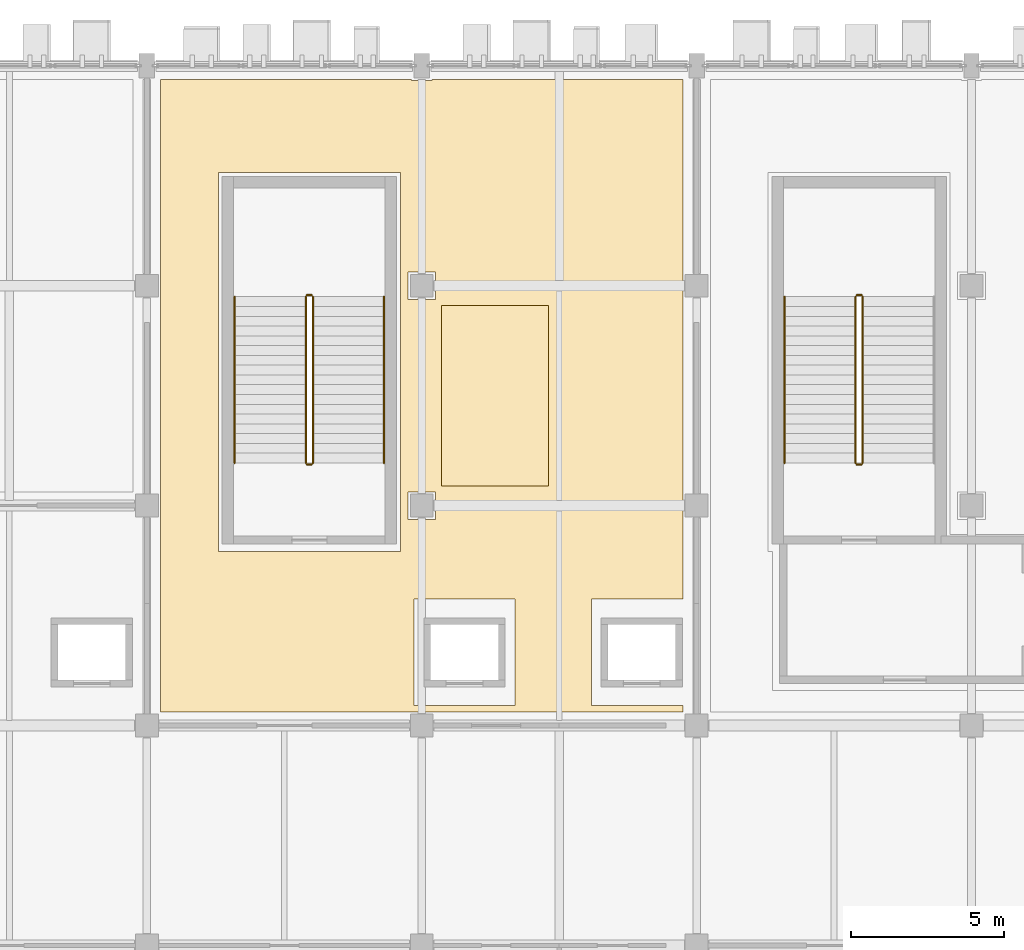
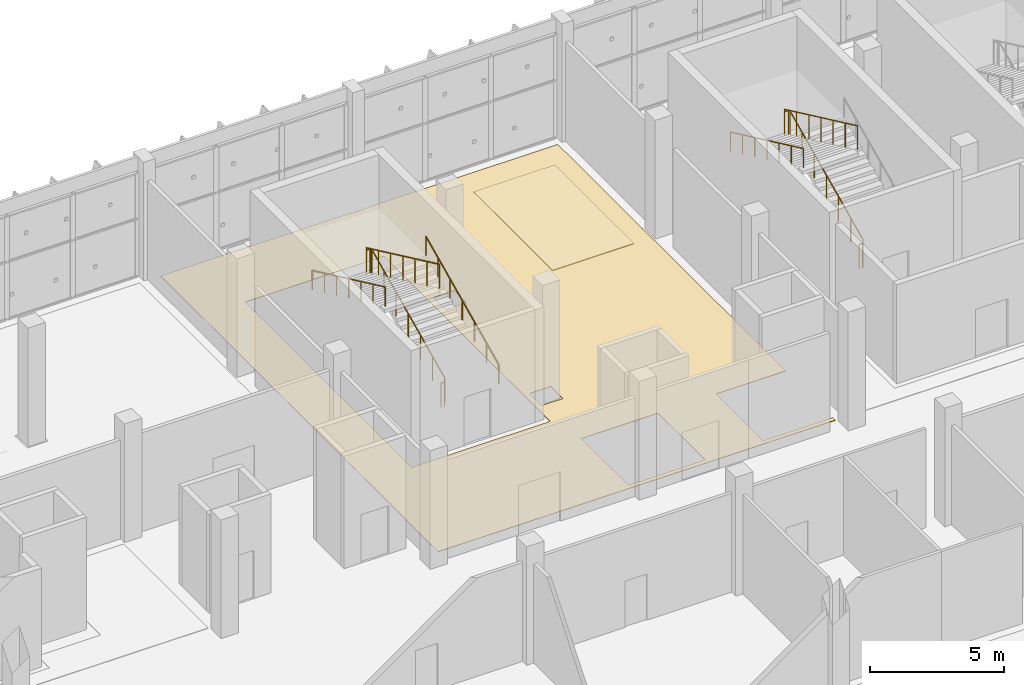
# One storey, part 180 of 189: 11 railings, 2 coverings.
"""IFC4 building model written with IfcOpenShell, lengths in metres."""

import ifcopenshell
import ifcopenshell.guid

model = None  # the IFC model being written
_history = None  # IfcOwnerHistory: only IFC2X3 demands one
_inside = {}  # id of a spatial element -> (the spatial element, [elements in it])
_under = {}  # id of a project, library or spatial element -> (it, [spatial elements below it])
_declared = {}  # id of a project -> (the project, [libraries it declares])
_typed = {}  # id of a type object -> (the type object, [elements of that type])
_made_of = {}  # id of a material, layer set ... -> (it, [elements and type objects made of it])


def new_model(schema):
    """Start an empty IFC model of exactly this schema.

    Asked for "IFC4X3", IfcOpenShell would pick the latest addendum, in which some entities
    have other attributes; the version numbers below select the first issue.
    IFC2X3 requires an IfcOwnerHistory on every rooted entity: one is made here for all.
    """
    global model, _history
    if schema == "IFC4X3":
        model = ifcopenshell.file(schema_version=(4, 3, 0, 0))
    else:
        model = ifcopenshell.file(schema=schema)
    _inside.clear()
    _under.clear()
    _declared.clear()
    _typed.clear()
    _made_of.clear()
    _history = None
    if model.schema == "IFC2X3":
        org = make("IfcOrganization", Name="unknown")
        user = make(
            "IfcPersonAndOrganization",
            ThePerson=make("IfcPerson", FamilyName="unknown"),
            TheOrganization=org,
        )
        app = make(
            "IfcApplication",
            ApplicationDeveloper=org,
            Version="unknown",
            ApplicationFullName="unknown",
            ApplicationIdentifier="unknown",
        )
        _history = make(
            "IfcOwnerHistory",
            OwningUser=user,
            OwningApplication=app,
            ChangeAction="ADDED",
            CreationDate=0,
        )
    return model


def make(cls, **values):
    """One entity of the class cls with the attributes given. An attribute that is None is left unset."""
    return model.create_entity(
        cls, **{name: value for name, value in values.items() if value is not None}
    )


def rooted(cls, **values):
    """An entity with a GlobalId (a new one), such as an element, a storey or a relation."""
    return make(cls, GlobalId=ifcopenshell.guid.new(), OwnerHistory=_history, **values)


def si_unit(unit_type, name, prefix=None):
    """IfcSIUnit, for example si_unit("LENGTHUNIT", "METRE", prefix="MILLI")."""
    return make("IfcSIUnit", UnitType=unit_type, Prefix=prefix, Name=name)


def assignment(units):
    """IfcUnitAssignment: the units of a project."""
    return None if units is None else make("IfcUnitAssignment", Units=units)


def point(xyz):
    """IfcCartesianPoint."""
    return None if xyz is None else make("IfcCartesianPoint", Coordinates=xyz)


def direction(xyz):
    """IfcDirection."""
    return None if xyz is None else make("IfcDirection", DirectionRatios=xyz)


def frame(location, z_axis=None, x_axis=None):
    """IfcAxis2Placement3D, a coordinate frame: its origin and axes. An axis left out is left unset."""
    return make(
        "IfcAxis2Placement3D",
        Location=point(location),
        Axis=direction(z_axis),
        RefDirection=direction(x_axis),
    )


def frame_2d(location, x_axis=None):
    """IfcAxis2Placement2D, a coordinate frame in the plane: its origin and x axis."""
    return make(
        "IfcAxis2Placement2D", Location=point(location), RefDirection=direction(x_axis)
    )


def origin():
    """The frame at (0, 0, 0) with its axes left unset."""
    return frame((0.0, 0.0, 0.0))


def origin_2d():
    """The frame at (0, 0) in the plane with its x axis left unset."""
    return frame_2d((0.0, 0.0))


def place(relative_to, where):
    """IfcLocalPlacement: puts the frame where relative to a parent placement (None: the world)."""
    return make(
        "IfcLocalPlacement", PlacementRelTo=relative_to, RelativePlacement=where
    )


def context(
    kind, dimensions, precision=None, world=None, true_north=None, identifier=None
):
    """IfcGeometricRepresentationContext, for example the 3D "Model" context."""
    return make(
        "IfcGeometricRepresentationContext",
        ContextIdentifier=identifier,
        ContextType=kind,
        CoordinateSpaceDimension=dimensions,
        Precision=precision,
        WorldCoordinateSystem=world,
        TrueNorth=true_north,
    )


def subcontext(parent, identifier, kind, view, scale=None):
    """IfcGeometricRepresentationSubContext, for example "Body" below "Model"."""
    return make(
        "IfcGeometricRepresentationSubContext",
        ContextIdentifier=identifier,
        ContextType=kind,
        ParentContext=parent,
        TargetScale=scale,
        TargetView=view,
    )


def project(units=None, contexts=None):
    """IfcProject with its units and contexts."""
    return rooted(
        "IfcProject",
        Name="project",
        RepresentationContexts=contexts,
        UnitsInContext=assignment(units),
    )


def spatial(cls, under=None, at=None, **own):
    """A site, building, storey or space (cls), placed at a placement, below another one or the project."""
    s = rooted(cls, ObjectPlacement=at, **own)
    if under is not None:
        _under.setdefault(under.id(), (under, []))[1].append(s)
    return s


def polyline(points):
    """IfcPolyline through the points."""
    return make("IfcPolyline", Points=[point(p) for p in points])


def profile(cls, at=None, kind="AREA", **sizes):
    """A parametric profile (cls). Its sizes go by their IFC names, for example OverallWidth=200.0."""
    return make(cls, ProfileType=kind, Position=at, **sizes)


def circle(**sizes):
    """IfcCircleProfileDef."""
    return profile("IfcCircleProfileDef", **sizes)


def outline(outer, holes=None, kind="AREA"):
    """IfcArbitraryClosedProfileDef: a profile drawn as a closed curve; with holes, ...WithVoids."""
    if holes is None:
        return make("IfcArbitraryClosedProfileDef", ProfileType=kind, OuterCurve=outer)
    return make(
        "IfcArbitraryProfileDefWithVoids",
        ProfileType=kind,
        OuterCurve=outer,
        InnerCurves=holes,
    )


def extrude(swept, where, along, depth):
    """IfcExtrudedAreaSolid: the profile swept, set in the frame where, extruded along a direction by depth."""
    return make(
        "IfcExtrudedAreaSolid",
        SweptArea=swept,
        Position=where,
        ExtrudedDirection=direction(along),
        Depth=depth,
    )


def shape(context_of_items, identifier, shape_type, items):
    """IfcShapeRepresentation: the items that make up one representation, for example the "Body"."""
    return make(
        "IfcShapeRepresentation",
        ContextOfItems=context_of_items,
        RepresentationIdentifier=identifier,
        RepresentationType=shape_type,
        Items=items,
    )


def material(Name=None, Category=None):
    """IfcMaterial."""
    return make("IfcMaterial", Name=Name, Category=Category)


def layer(
    of_material, thickness, ventilated=None, Name=None, Category=None, Priority=None
):
    """IfcMaterialLayer: one layer of a wall or slab, of a material (None: an air gap)."""
    return make(
        "IfcMaterialLayer",
        Material=of_material,
        LayerThickness=thickness,
        IsVentilated=ventilated,
        Name=Name,
        Category=Category,
        Priority=Priority,
    )


def layer_set(layers, Name=None):
    """IfcMaterialLayerSet."""
    return make("IfcMaterialLayerSet", MaterialLayers=layers, LayerSetName=Name)


def made_of(thing, what):
    """Note that an element or type object is made of a material, layer set ...; save() writes the relation."""
    if what is not None:
        _made_of.setdefault(what.id(), (what, []))[1].append(thing)
    return thing


def type_object(cls, material=None, **own):
    """A type object (cls), such as IfcWallType, which elements share."""
    return made_of(rooted(cls, **own), material)


def element(
    cls,
    number,
    at=None,
    inside=None,
    cuts=None,
    type_object=None,
    material=None,
    context=None,
    identifier="Body",
    shape_type=None,
    held_by="IfcProductDefinitionShape",
    body=None,
    shapes=None,
    **own,
):
    """One element of the class cls, such as IfcWall. Its Tag is "e" and its number.

    at: its placement. inside: the storey or other place that contains it. cuts: it is an
    opening in that element (IfcRelVoidsElement). A single representation is given by context,
    identifier, shape_type and body (its items); several are given by shapes. held_by: the class
    of the entity that holds the representations. save() writes the other relations.
    """
    e = rooted(cls, Tag="e%d" % number, ObjectPlacement=at, **own)
    if body is not None:
        shapes = [shape(context, identifier, shape_type, body)]
    if shapes is not None:
        e.Representation = make(held_by, Representations=shapes)
    if inside is not None:
        _inside.setdefault(inside.id(), (inside, []))[1].append(e)
    if cuts is not None:
        rooted(
            "IfcRelVoidsElement", RelatingBuildingElement=cuts, RelatedOpeningElement=e
        )
    if type_object is not None:
        _typed.setdefault(type_object.id(), (type_object, []))[1].append(e)
    return made_of(e, material)


def aggregate(whole, parts):
    """IfcRelAggregates: a whole, such as a stair, and the parts it consists of."""
    return rooted("IfcRelAggregates", RelatingObject=whole, RelatedObjects=parts)


def save(model, path):
    """Write the relations noted so far, then the file.

    IfcRelAggregates (storeys below a building ...), IfcRelContainedInSpatialStructure (elements
    in a storey), IfcRelDefinesByType, IfcRelAssociatesMaterial and IfcRelDeclares: one each for
    every whole, place, type object, material and project.
    """
    for whole, parts in _under.values():
        aggregate(whole, parts)
    for where, things in _inside.values():
        rooted(
            "IfcRelContainedInSpatialStructure",
            RelatedElements=things,
            RelatingStructure=where,
        )
    for kind, things in _typed.values():
        rooted("IfcRelDefinesByType", RelatedObjects=things, RelatingType=kind)
    for what, things in _made_of.values():
        rooted("IfcRelAssociatesMaterial", RelatedObjects=things, RelatingMaterial=what)
    for by, libraries in _declared.values():
        rooted("IfcRelDeclares", RelatingContext=by, RelatedDefinitions=libraries)
    model.write(path)


model = new_model("IFC4")

# Units and contexts
model_context = context("Model", 3, precision=1e-05, world=origin(), true_north=direction((0.0, 1.0)))
body_context = subcontext(model_context, "Body", "Model", "MODEL_VIEW")
ifc_project = project(units=[si_unit("LENGTHUNIT", "METRE"), si_unit("AREAUNIT", "SQUARE_METRE"), si_unit("VOLUMEUNIT", "CUBIC_METRE"), si_unit("PLANEANGLEUNIT", "RADIAN"), si_unit("MASSUNIT", "GRAM", prefix="KILO")], contexts=[model_context])

# Site, building, storey
site_placement = place(None, origin())
site = spatial("IfcSite", under=ifc_project, at=site_placement, CompositionType="ELEMENT")
building_placement = place(site_placement, origin())
building = spatial("IfcBuilding", under=site, at=building_placement, Name="Celestram Park Convention Centre", CompositionType="ELEMENT")
storey_placement = place(building_placement, frame((0.0, 0.0, 5.39990234375)))
storey = spatial("IfcBuildingStorey", under=building, at=storey_placement, Name="L01", CompositionType="ELEMENT", Elevation=5.39990234375)

# Coverings
ifc_material_1 = material(Name="Perforated Acoustic Mineral-Fibre Baffle Ceiling", Category="gypsum")
ifc_layer_1 = layer(ifc_material_1, 0.0400390625)
ifc_layer_set_1 = layer_set([ifc_layer_1], Name="Perforated Acoustic Mineral-Fibre Baffle Ceiling")
covering_type_1 = type_object("IfcCoveringType", Name="ARC-COV-CLG040", PredefinedType="CEILING", material=ifc_layer_set_1)
covering_1_placement = place(storey_placement, frame((0.0, 0.0, 5.080078125)))
element("IfcCovering", 1, at=covering_1_placement, inside=storey, type_object=covering_type_1, Name="Breakout Seminar Room 103 acoustic baffle ceiling", PredefinedType="CEILING", context=body_context, shape_type="SweptSolid", body=[
    extrude(outline(polyline([(72.64990234375, 151.85009765625), (76.14990234375, 151.85009765625), (76.14990234375, 157.75), (72.64990234375, 157.75), (72.64990234375, 151.85009765625)])), origin(), (0.0, 0.0, 1.0), 0.0400390625),
])
ifc_material_2 = material(Name="Polished Lakefront Aggregate Terrazzo Flooring", Category="concrete")
ifc_layer_2 = layer(ifc_material_2, 0.02001953125)
ifc_layer_set_2 = layer_set([ifc_layer_2], Name="Polished Lakefront Aggregate Terrazzo Flooring")
covering_type_2 = type_object("IfcCoveringType", Name="ARC-COV-FLR020", PredefinedType="FLOORING", material=ifc_layer_set_2)
covering_2_placement = place(storey_placement, origin())
element("IfcCovering", 2, at=covering_2_placement, inside=storey, type_object=covering_type_2, Name="Breakout Seminar Room 103 terrazzo flooring", PredefinedType="FLOORING", context=body_context, shape_type="SweptSolid", body=[
    extrude(outline(polyline([(63.449951171875, 150.7470703125), (63.452880859375, 150.7470703125), (63.452880859375, 151.653076171875), (63.449951171875, 151.653076171875), (63.449951171875, 157.947021484375), (63.452880859375, 157.947021484375), (63.452880859375, 158.85302734375), (63.449951171875, 158.85302734375), (63.449951171875, 165.14990234375), (71.672119140625, 165.14990234375), (71.672119140625, 165.1220703125), (72.327880859375, 165.1220703125), (72.327880859375, 165.14990234375), (80.550048828125, 165.14990234375), (80.550048828125, 158.85302734375), (80.547119140625, 158.85302734375), (80.547119140625, 157.947021484375), (80.550048828125, 157.947021484375), (80.550048828125, 151.653076171875), (80.547119140625, 151.653076171875), (80.547119140625, 150.7470703125), (80.550048828125, 150.7470703125), (80.550048828125, 148.14990234375), (77.550048828125, 148.14990234375), (77.550048828125, 144.64990234375), (80.550048828125, 144.64990234375), (80.550048828125, 144.452880859375), (80.547119140625, 144.452880859375), (80.547119140625, 144.449951171875), (72.452880859375, 144.449951171875), (72.452880859375, 144.452880859375), (71.547119140625, 144.452880859375), (71.547119140625, 144.449951171875), (63.452880859375, 144.449951171875), (63.452880859375, 144.452880859375), (63.449951171875, 144.452880859375), (63.449951171875, 150.7470703125)]), holes=[polyline([(75.050048828125, 144.64990234375), (75.050048828125, 148.14990234375), (71.75, 148.14990234375), (71.75, 144.64990234375), (75.050048828125, 144.64990234375)]), polyline([(71.300048828125, 149.699951171875), (71.300048828125, 162.10009765625), (65.340087890625, 162.10009765625), (65.340087890625, 149.699951171875), (71.300048828125, 149.699951171875)]), polyline([(72.452880859375, 151.653076171875), (71.547119140625, 151.653076171875), (71.547119140625, 150.7470703125), (72.452880859375, 150.7470703125), (72.452880859375, 151.653076171875)]), polyline([(72.452880859375, 157.947021484375), (72.452880859375, 158.85302734375), (71.547119140625, 158.85302734375), (71.547119140625, 157.947021484375), (72.452880859375, 157.947021484375)])]), origin(), (0.0, 0.0, 1.0), 0.02001953125),
])

# Railings
ifc_material_3 = material(Name="Stainless Steel AISI 316L & Laminated Glass", Category="steel")
ifc_layer_3 = layer(ifc_material_3, 0.06005859375)
ifc_layer_set_3 = layer_set([ifc_layer_3], Name="Stainless Steel AISI 316L & Laminated Glass")
railing_type_1 = type_object("IfcRailingType", Name="ARC-RL-GRD1120", PredefinedType="GUARDRAIL", material=ifc_layer_set_3)
railing_1_placement = place(storey_placement, frame((86.43603515625, 152.60009765625, 0.150146484375)))
element("IfcRailing", 3, at=railing_1_placement, inside=storey, type_object=railing_type_1, Name="L01 ST-02 stair guard 1", PredefinedType="GUARDRAIL", context=body_context, shape_type="SweptSolid", body=[
    extrude(circle(Radius=0.02392578125, at=origin_2d()), frame((0.0, 0.0, 1.09619140625), z_axis=(0.0, 0.90545405566, 0.424444287379), x_axis=(-1.0, 0.0, 0.0)), (0.0, 0.0, 1.0), 6.008056640625),
    extrude(circle(Radius=0.02099609375, at=origin_2d()), origin(), (0.0, 0.0, 1.0), 1.072021484375),
    extrude(circle(Radius=0.02099609375, at=origin_2d()), frame((0.0, 0.90673828125, 0.425048828125)), (0.0, 0.0, 1.0), 1.072021484375),
    extrude(circle(Radius=0.02099609375, at=origin_2d()), frame((0.0, 1.813232421875, 0.85009765625)), (0.0, 0.0, 1.0), 1.072021484375),
    extrude(circle(Radius=0.02099609375, at=origin_2d()), frame((0.0, 2.719970703125, 1.27490234375)), (0.0, 0.0, 1.0), 1.072021484375),
    extrude(circle(Radius=0.02099609375, at=origin_2d()), frame((0.0, 3.626708984375, 1.699951171875)), (0.0, 0.0, 1.0), 1.072021484375),
    extrude(circle(Radius=0.02099609375, at=origin_2d()), frame((0.0, 4.533203125, 2.125)), (0.0, 0.0, 1.0), 1.072021484375),
    extrude(circle(Radius=0.02099609375, at=origin_2d()), frame((0.0, 5.43994140625, 2.550048828125)), (0.0, 0.0, 1.0), 1.072021484375),
])
railing_2_placement = place(storey_placement, frame((86.39990234375, 158.090087890625, 2.7001953125)))
element("IfcRailing", 4, at=railing_2_placement, inside=storey, type_object=railing_type_1, Name="L01 ST-02 stair guard 2", PredefinedType="GUARDRAIL", context=body_context, shape_type="SweptSolid", body=[
    extrude(circle(Radius=0.02392578125, at=origin_2d()), frame((0.0, 0.0, 1.09619140625), z_axis=(-1.0, 0.0, 0.0), x_axis=(0.0, -1.0, 0.0)), (0.0, 0.0, 1.0), 0.159912109375),
    extrude(circle(Radius=0.02099609375, at=origin_2d()), origin(), (0.0, 0.0, 1.0), 1.072021484375),
    extrude(circle(Radius=0.02099609375, at=origin_2d()), frame((-0.159912109375, 0.0, 0.0)), (0.0, 0.0, 1.0), 1.072021484375),
])
railing_3_placement = place(storey_placement, frame((86.2041015625, 158.0400390625, 2.85009765625)))
element("IfcRailing", 5, at=railing_3_placement, inside=storey, type_object=railing_type_1, Name="L01 ST-02 stair guard 3", PredefinedType="GUARDRAIL", context=body_context, shape_type="SweptSolid", body=[
    extrude(circle(Radius=0.02392578125, at=origin_2d()), frame((0.0, 0.0, 1.09619140625), z_axis=(0.0, -0.90545405566, 0.424444287379), x_axis=(1.0, 0.0, 0.0)), (0.0, 0.0, 1.0), 6.008056640625),
    extrude(circle(Radius=0.02099609375, at=origin_2d()), origin(), (0.0, 0.0, 1.0), 1.072021484375),
    extrude(circle(Radius=0.02099609375, at=origin_2d()), frame((0.0, -0.90673828125, 0.425048828125)), (0.0, 0.0, 1.0), 1.072021484375),
    extrude(circle(Radius=0.02099609375, at=origin_2d()), frame((0.0, -1.813232421875, 0.85009765625)), (0.0, 0.0, 1.0), 1.072021484375),
    extrude(circle(Radius=0.02099609375, at=origin_2d()), frame((0.0, -2.719970703125, 1.27490234375)), (0.0, 0.0, 1.0), 1.072021484375),
    extrude(circle(Radius=0.02099609375, at=origin_2d()), frame((0.0, -3.626708984375, 1.699951171875)), (0.0, 0.0, 1.0), 1.072021484375),
    extrude(circle(Radius=0.02099609375, at=origin_2d()), frame((0.0, -4.533203125, 2.125)), (0.0, 0.0, 1.0), 1.072021484375),
    extrude(circle(Radius=0.02099609375, at=origin_2d()), frame((0.0, -5.43994140625, 2.550048828125)), (0.0, 0.0, 1.0), 1.072021484375),
])
railing_4_placement = place(storey_placement, frame((86.39990234375, 152.550048828125, 0.0)))
element("IfcRailing", 6, at=railing_4_placement, inside=storey, type_object=railing_type_1, Name="L01 ST-02 stair guard 4", PredefinedType="GUARDRAIL", context=body_context, shape_type="SweptSolid", body=[
    extrude(circle(Radius=0.02392578125, at=origin_2d()), frame((0.0, 0.0, 1.09619140625), z_axis=(-1.0, 0.0, 0.0), x_axis=(0.0, -1.0, 0.0)), (0.0, 0.0, 1.0), 0.159912109375),
    extrude(circle(Radius=0.02099609375, at=origin_2d()), origin(), (0.0, 0.0, 1.0), 1.072021484375),
    extrude(circle(Radius=0.02099609375, at=origin_2d()), frame((-0.159912109375, 0.0, 0.0)), (0.0, 0.0, 1.0), 1.072021484375),
])
railing_5_placement = place(storey_placement, frame((68.43603515625, 152.60009765625, 0.150146484375)))
element("IfcRailing", 7, at=railing_5_placement, inside=storey, type_object=railing_type_1, Name="L01 ST-14 stair guard 1", PredefinedType="GUARDRAIL", context=body_context, shape_type="SweptSolid", body=[
    extrude(circle(Radius=0.02392578125, at=origin_2d()), frame((0.0, 0.0, 1.09619140625), z_axis=(0.0, 0.90545405566, 0.424444287379), x_axis=(-1.0, 0.0, 0.0)), (0.0, 0.0, 1.0), 6.008056640625),
    extrude(circle(Radius=0.02099609375, at=origin_2d()), origin(), (0.0, 0.0, 1.0), 1.072021484375),
    extrude(circle(Radius=0.02099609375, at=origin_2d()), frame((0.0, 0.90673828125, 0.425048828125)), (0.0, 0.0, 1.0), 1.072021484375),
    extrude(circle(Radius=0.02099609375, at=origin_2d()), frame((0.0, 1.813232421875, 0.85009765625)), (0.0, 0.0, 1.0), 1.072021484375),
    extrude(circle(Radius=0.02099609375, at=origin_2d()), frame((0.0, 2.719970703125, 1.27490234375)), (0.0, 0.0, 1.0), 1.072021484375),
    extrude(circle(Radius=0.02099609375, at=origin_2d()), frame((0.0, 3.626708984375, 1.699951171875)), (0.0, 0.0, 1.0), 1.072021484375),
    extrude(circle(Radius=0.02099609375, at=origin_2d()), frame((0.0, 4.533203125, 2.125)), (0.0, 0.0, 1.0), 1.072021484375),
    extrude(circle(Radius=0.02099609375, at=origin_2d()), frame((0.0, 5.43994140625, 2.550048828125)), (0.0, 0.0, 1.0), 1.072021484375),
])
railing_6_placement = place(storey_placement, frame((68.39990234375, 158.090087890625, 2.7001953125)))
element("IfcRailing", 8, at=railing_6_placement, inside=storey, type_object=railing_type_1, Name="L01 ST-14 stair guard 2", PredefinedType="GUARDRAIL", context=body_context, shape_type="SweptSolid", body=[
    extrude(circle(Radius=0.02392578125, at=origin_2d()), frame((0.0, 0.0, 1.09619140625), z_axis=(-1.0, 0.0, 0.0), x_axis=(0.0, -1.0, 0.0)), (0.0, 0.0, 1.0), 0.159912109375),
    extrude(circle(Radius=0.02099609375, at=origin_2d()), origin(), (0.0, 0.0, 1.0), 1.072021484375),
    extrude(circle(Radius=0.02099609375, at=origin_2d()), frame((-0.159912109375, 0.0, 0.0)), (0.0, 0.0, 1.0), 1.072021484375),
])
railing_7_placement = place(storey_placement, frame((68.2041015625, 158.0400390625, 2.85009765625)))
element("IfcRailing", 9, at=railing_7_placement, inside=storey, type_object=railing_type_1, Name="L01 ST-14 stair guard 3", PredefinedType="GUARDRAIL", context=body_context, shape_type="SweptSolid", body=[
    extrude(circle(Radius=0.02392578125, at=origin_2d()), frame((0.0, 0.0, 1.09619140625), z_axis=(0.0, -0.90545405566, 0.424444287379), x_axis=(1.0, 0.0, 0.0)), (0.0, 0.0, 1.0), 6.008056640625),
    extrude(circle(Radius=0.02099609375, at=origin_2d()), origin(), (0.0, 0.0, 1.0), 1.072021484375),
    extrude(circle(Radius=0.02099609375, at=origin_2d()), frame((0.0, -0.90673828125, 0.425048828125)), (0.0, 0.0, 1.0), 1.072021484375),
    extrude(circle(Radius=0.02099609375, at=origin_2d()), frame((0.0, -1.813232421875, 0.85009765625)), (0.0, 0.0, 1.0), 1.072021484375),
    extrude(circle(Radius=0.02099609375, at=origin_2d()), frame((0.0, -2.719970703125, 1.27490234375)), (0.0, 0.0, 1.0), 1.072021484375),
    extrude(circle(Radius=0.02099609375, at=origin_2d()), frame((0.0, -3.626708984375, 1.699951171875)), (0.0, 0.0, 1.0), 1.072021484375),
    extrude(circle(Radius=0.02099609375, at=origin_2d()), frame((0.0, -4.533203125, 2.125)), (0.0, 0.0, 1.0), 1.072021484375),
    extrude(circle(Radius=0.02099609375, at=origin_2d()), frame((0.0, -5.43994140625, 2.550048828125)), (0.0, 0.0, 1.0), 1.072021484375),
])
railing_8_placement = place(storey_placement, frame((68.39990234375, 152.550048828125, 0.0)))
element("IfcRailing", 10, at=railing_8_placement, inside=storey, type_object=railing_type_1, Name="L01 ST-14 stair guard 4", PredefinedType="GUARDRAIL", context=body_context, shape_type="SweptSolid", body=[
    extrude(circle(Radius=0.02392578125, at=origin_2d()), frame((0.0, 0.0, 1.09619140625), z_axis=(-1.0, 0.0, 0.0), x_axis=(0.0, -1.0, 0.0)), (0.0, 0.0, 1.0), 0.159912109375),
    extrude(circle(Radius=0.02099609375, at=origin_2d()), origin(), (0.0, 0.0, 1.0), 1.072021484375),
    extrude(circle(Radius=0.02099609375, at=origin_2d()), frame((-0.159912109375, 0.0, 0.0)), (0.0, 0.0, 1.0), 1.072021484375),
])
ifc_material_4 = material(Name="Brushed Stainless Steel AISI 304", Category="steel")
ifc_layer_4 = layer(ifc_material_4, 0.048095703125)
ifc_layer_set_4 = layer_set([ifc_layer_4], Name="Brushed Stainless Steel AISI 304")
railing_type_2 = type_object("IfcRailingType", Name="ARC-RL-HND915", PredefinedType="HANDRAIL", material=ifc_layer_set_4)
railing_9_placement = place(storey_placement, frame((83.8759765625, 158.0400390625, 2.85009765625)))
element("IfcRailing", 11, at=railing_9_placement, inside=storey, type_object=railing_type_2, Name="L01 ST-02 stair handrail 2", PredefinedType="HANDRAIL", context=body_context, shape_type="SweptSolid", body=[
    extrude(circle(Radius=0.02392578125, at=origin_2d()), frame((0.0, 0.0, 0.8759765625), z_axis=(0.0, -0.90545405566, 0.424444287379), x_axis=(1.0, 0.0, 0.0)), (0.0, 0.0, 1.0), 6.008056640625),
    extrude(circle(Radius=0.02099609375, at=origin_2d()), origin(), (0.0, 0.0, 1.0), 0.851806640625),
    extrude(circle(Radius=0.02099609375, at=origin_2d()), frame((0.0, -0.90673828125, 0.425048828125)), (0.0, 0.0, 1.0), 0.851806640625),
    extrude(circle(Radius=0.02099609375, at=origin_2d()), frame((0.0, -1.813232421875, 0.85009765625)), (0.0, 0.0, 1.0), 0.851806640625),
    extrude(circle(Radius=0.02099609375, at=origin_2d()), frame((0.0, -2.719970703125, 1.27490234375)), (0.0, 0.0, 1.0), 0.851806640625),
    extrude(circle(Radius=0.02099609375, at=origin_2d()), frame((0.0, -3.626708984375, 1.699951171875)), (0.0, 0.0, 1.0), 0.851806640625),
    extrude(circle(Radius=0.02099609375, at=origin_2d()), frame((0.0, -4.533203125, 2.125)), (0.0, 0.0, 1.0), 0.851806640625),
    extrude(circle(Radius=0.02099609375, at=origin_2d()), frame((0.0, -5.43994140625, 2.550048828125)), (0.0, 0.0, 1.0), 0.851806640625),
])
railing_10_placement = place(storey_placement, frame((70.763916015625, 152.60009765625, 0.150146484375)))
element("IfcRailing", 12, at=railing_10_placement, inside=storey, type_object=railing_type_2, Name="L01 ST-14 stair handrail 1", PredefinedType="HANDRAIL", context=body_context, shape_type="SweptSolid", body=[
    extrude(circle(Radius=0.02392578125, at=origin_2d()), frame((0.0, 0.0, 0.8759765625), z_axis=(0.0, 0.90545405566, 0.424444287379), x_axis=(-1.0, 0.0, 0.0)), (0.0, 0.0, 1.0), 6.008056640625),
    extrude(circle(Radius=0.02099609375, at=origin_2d()), origin(), (0.0, 0.0, 1.0), 0.851806640625),
    extrude(circle(Radius=0.02099609375, at=origin_2d()), frame((0.0, 0.90673828125, 0.425048828125)), (0.0, 0.0, 1.0), 0.851806640625),
    extrude(circle(Radius=0.02099609375, at=origin_2d()), frame((0.0, 1.813232421875, 0.85009765625)), (0.0, 0.0, 1.0), 0.851806640625),
    extrude(circle(Radius=0.02099609375, at=origin_2d()), frame((0.0, 2.719970703125, 1.27490234375)), (0.0, 0.0, 1.0), 0.851806640625),
    extrude(circle(Radius=0.02099609375, at=origin_2d()), frame((0.0, 3.626708984375, 1.699951171875)), (0.0, 0.0, 1.0), 0.851806640625),
    extrude(circle(Radius=0.02099609375, at=origin_2d()), frame((0.0, 4.533203125, 2.125)), (0.0, 0.0, 1.0), 0.851806640625),
    extrude(circle(Radius=0.02099609375, at=origin_2d()), frame((0.0, 5.43994140625, 2.550048828125)), (0.0, 0.0, 1.0), 0.851806640625),
])
railing_11_placement = place(storey_placement, frame((65.8759765625, 158.0400390625, 2.85009765625)))
element("IfcRailing", 13, at=railing_11_placement, inside=storey, type_object=railing_type_2, Name="L01 ST-14 stair handrail 2", PredefinedType="HANDRAIL", context=body_context, shape_type="SweptSolid", body=[
    extrude(circle(Radius=0.02392578125, at=origin_2d()), frame((0.0, 0.0, 0.8759765625), z_axis=(0.0, -0.90545405566, 0.424444287379), x_axis=(1.0, 0.0, 0.0)), (0.0, 0.0, 1.0), 6.008056640625),
    extrude(circle(Radius=0.02099609375, at=origin_2d()), origin(), (0.0, 0.0, 1.0), 0.851806640625),
    extrude(circle(Radius=0.02099609375, at=origin_2d()), frame((0.0, -0.90673828125, 0.425048828125)), (0.0, 0.0, 1.0), 0.851806640625),
    extrude(circle(Radius=0.02099609375, at=origin_2d()), frame((0.0, -1.813232421875, 0.85009765625)), (0.0, 0.0, 1.0), 0.851806640625),
    extrude(circle(Radius=0.02099609375, at=origin_2d()), frame((0.0, -2.719970703125, 1.27490234375)), (0.0, 0.0, 1.0), 0.851806640625),
    extrude(circle(Radius=0.02099609375, at=origin_2d()), frame((0.0, -3.626708984375, 1.699951171875)), (0.0, 0.0, 1.0), 0.851806640625),
    extrude(circle(Radius=0.02099609375, at=origin_2d()), frame((0.0, -4.533203125, 2.125)), (0.0, 0.0, 1.0), 0.851806640625),
    extrude(circle(Radius=0.02099609375, at=origin_2d()), frame((0.0, -5.43994140625, 2.550048828125)), (0.0, 0.0, 1.0), 0.851806640625),
])

save(model, "model.ifc")
